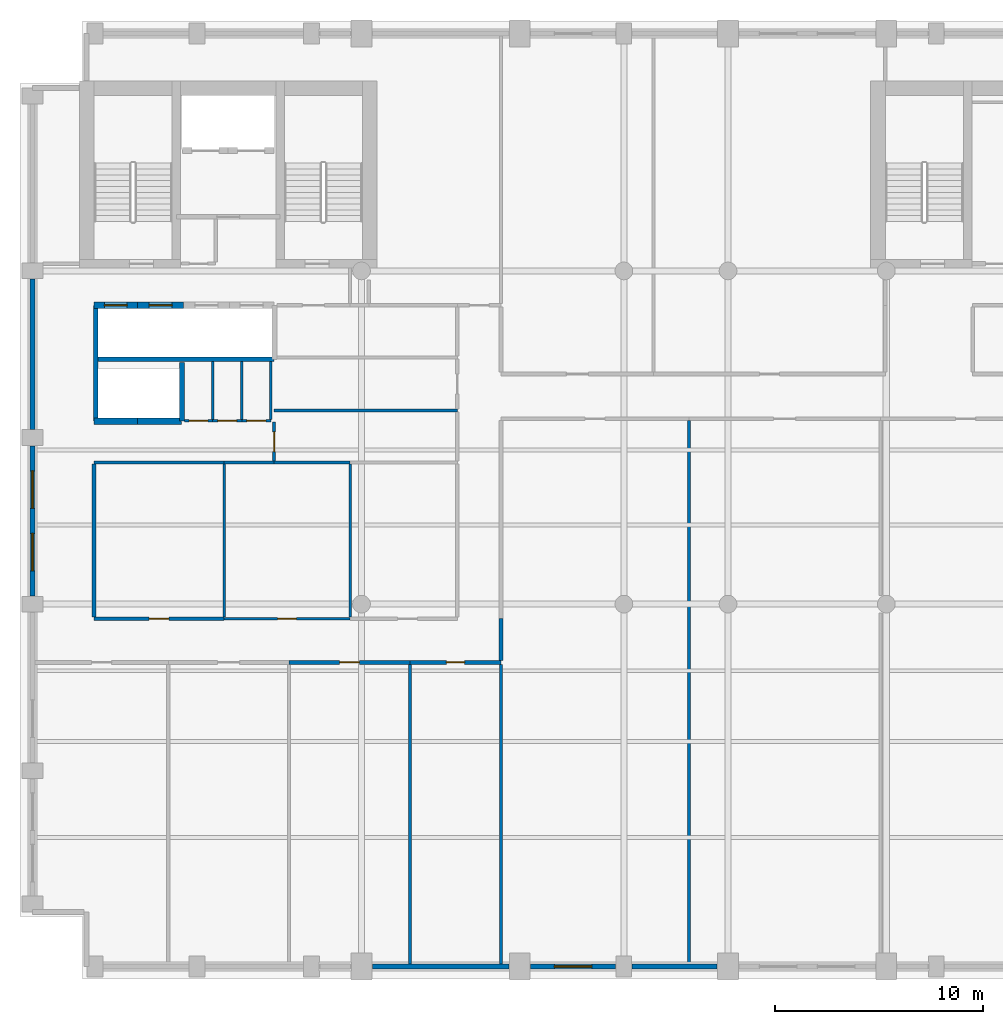
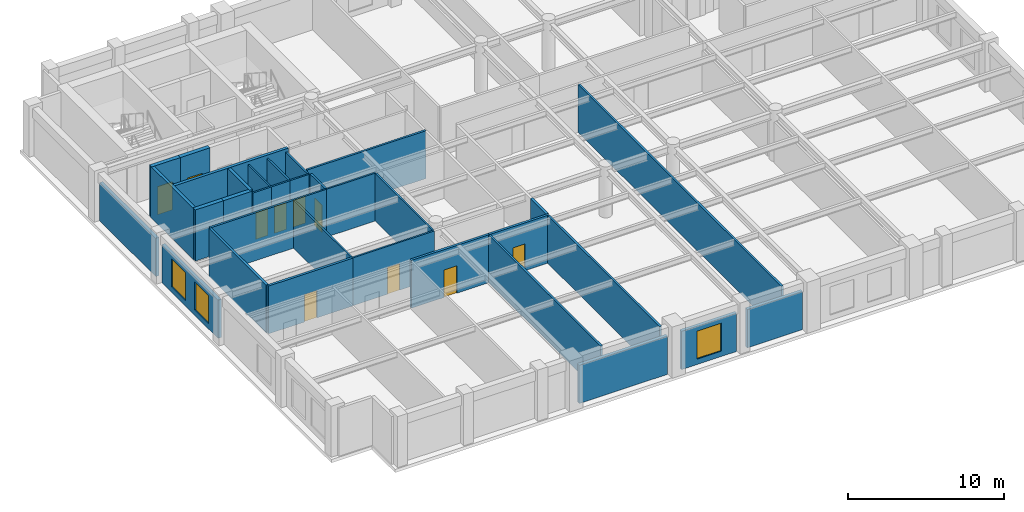
# One storey, part 3 of 8: 34 walls, 10 doors, 3 windows, 13 openings.
"""IFC4 building model written with IfcOpenShell, lengths in metres."""

from ifc_helpers import new_model, si_unit, direction, frame, frame_2d, origin, place, context, subcontext, project, spatial, rectangle, extrude, material, layer, layer_set, type_object, element, fill, save


model = new_model("IFC4")

# Units and contexts
model_context = context("Model", 3, precision=1e-05, world=origin(), true_north=direction((0.0, 1.0)))
body_context = subcontext(model_context, "Body", "Model", "MODEL_VIEW")
ifc_project = project(units=[si_unit("LENGTHUNIT", "METRE"), si_unit("AREAUNIT", "SQUARE_METRE"), si_unit("VOLUMEUNIT", "CUBIC_METRE"), si_unit("PLANEANGLEUNIT", "RADIAN"), si_unit("MASSUNIT", "GRAM", prefix="KILO")], contexts=[model_context])

# Site, building, storey
site_placement = place(None, origin())
site = spatial("IfcSite", under=ifc_project, at=site_placement, CompositionType="ELEMENT")
building_placement = place(site_placement, origin())
building = spatial("IfcBuilding", under=site, at=building_placement, Name="Sulina Concourse Tower", CompositionType="ELEMENT")
storey_placement = place(building_placement, frame((0.0, 0.0, 256.60009765625)))
storey = spatial("IfcBuildingStorey", under=building, at=storey_placement, Name="L62", CompositionType="ELEMENT", Elevation=256.60009765625)

# Walls
ifc_material_1 = material(Name="Concrete C50/60", Category="concrete")
ifc_layer_1 = layer(ifc_material_1, 0.219970703125)
ifc_layer_set_1 = layer_set([ifc_layer_1], Name="Concrete C50/60")
wall_type_1 = type_object("IfcWallType", Name="Core Lift Hoistway Divider Wall 220mm", PredefinedType="SOLIDWALL", material=ifc_layer_set_1)
wall_1_placement = place(storey_placement, frame((3.550048828125, 29.75, 0.0), z_axis=(0.0, 0.0, 1.0), x_axis=(1.0, 0.0, 0.0)))
element("IfcWall", 1, at=wall_1_placement, inside=storey, type_object=wall_type_1, Name="L62 shaft divider wall HW-LP3-S", PredefinedType="SOLIDWALL", context=body_context, shape_type="SweptSolid", body=[
    extrude(rectangle(XDim=8.64990234375, YDim=0.219970703125, at=frame_2d((4.324951171875, 0.0))), origin(), (0.0, 0.0, 1.0), 4.0),
])
wall_2_placement = place(storey_placement, frame((3.6298828125, 26.800048828125, 0.0), z_axis=(0.0, 0.0, 1.0), x_axis=(0.0, 1.0, 0.0)))
element("IfcWall", 2, at=wall_2_placement, inside=storey, type_object=wall_type_1, Name="L62 shaft divider wall HW-LP3-W", PredefinedType="SOLIDWALL", context=body_context, shape_type="SweptSolid", body=[
    extrude(rectangle(XDim=5.550048828125, YDim=0.219970703125, at=frame_2d((2.77490234375, 0.0))), origin(), (0.0, 0.0, 1.0), 4.0),
])
wall_3_placement = place(storey_placement, frame((7.780029296875, 26.800048828125, 0.0), z_axis=(0.0, 0.0, 1.0), x_axis=(0.0, 1.0, 0.0)))
element("IfcWall", 3, at=wall_3_placement, inside=storey, type_object=wall_type_1, Name="L62 shaft divider wall HW-EXP-E", PredefinedType="SOLIDWALL", context=body_context, shape_type="SweptSolid", body=[
    extrude(rectangle(XDim=2.800048828125, YDim=0.219970703125, at=frame_2d((1.39990234375, 0.0))), origin(), (0.0, 0.0, 1.0), 4.0),
])

# Wall, opening, door
ifc_material_2 = material(Name="Concrete C50/60", Category="concrete")
ifc_layer_2 = layer(ifc_material_2, 0.300048828125)
ifc_layer_set_2 = layer_set([ifc_layer_2], Name="Concrete C50/60")
wall_type_2 = type_object("IfcWallType", Name="Core Lift Hoistway Wall 300mm", PredefinedType="SOLIDWALL", material=ifc_layer_set_2)
wall_4_placement = place(storey_placement, frame((3.550048828125, 32.35009765625, 0.0), z_axis=(0.0, 0.0, 1.0), x_axis=(1.0, 0.0, 0.0)))
wall_4 = element("IfcWall", 4, at=wall_4_placement, inside=storey, type_object=wall_type_2, Name="L62 hoistway enclosure wall LP-09", PredefinedType="SOLIDWALL", context=body_context, shape_type="SweptSolid", body=[
    extrude(rectangle(XDim=2.099853515625, YDim=0.300048828125, at=frame_2d((1.0498046875, 0.0))), origin(), (0.0, 0.0, 1.0), 4.0),
])
opening_1_placement = place(wall_4_placement, frame((0.5, 0.0, 0.0)))
opening_1 = element("IfcOpeningElement", 5, at=opening_1_placement, cuts=wall_4, Name="Opening LD-01", PredefinedType="OPENING", context=body_context, shape_type="SweptSolid", body=[
    extrude(rectangle(XDim=1.10009765625, YDim=2.199951171875, at=frame_2d((0.550048828125, 1.10009765625))), frame((0.0, 0.159912109375, 0.0), z_axis=(0.0, -1.0, 0.0), x_axis=(1.0, 0.0, 0.0)), (0.0, 0.0, 1.0), 0.320068359375),
])
ifc_material_3 = material(Name="Stainless steel lift landing door", Category="steel")
ifc_layer_3 = layer(ifc_material_3, 0.050048828125)
ifc_layer_set_3 = layer_set([ifc_layer_3], Name="Stainless steel lift landing door")
door_type_1 = type_object("IfcDoorType", Name="Passenger Lift Sliding Landing Door 1100x2200", OperationType="SLIDING_TO_LEFT", PredefinedType="DOOR", material=ifc_layer_set_3)
door_1_placement = place(opening_1_placement, origin())
door_1 = element("IfcDoor", 6, at=door_1_placement, inside=storey, type_object=door_type_1, Name="L62 lift landing sliding door LP-09", OperationType="SLIDING_TO_LEFT", OverallHeight=2.199951171875, OverallWidth=1.10009765625, PredefinedType="DOOR", context=body_context, shape_type="SweptSolid", body=[
    extrude(rectangle(XDim=1.10009765625, YDim=2.199951171875, at=frame_2d((0.550048828125, 1.10009765625))), frame((0.0, 0.02490234375, 0.0), z_axis=(0.0, -1.0, 0.0), x_axis=(1.0, 0.0, 0.0)), (0.0, 0.0, 1.0), 0.050048828125),
])
fill(opening_1, door_1)

wall_5_placement = place(storey_placement, frame((5.64990234375, 32.35009765625, 0.0), z_axis=(0.0, 0.0, 1.0), x_axis=(1.0, 0.0, 0.0)))
wall_5 = element("IfcWall", 7, at=wall_5_placement, inside=storey, type_object=wall_type_2, Name="L62 hoistway enclosure wall LP-10", PredefinedType="SOLIDWALL", context=body_context, shape_type="SweptSolid", body=[
    extrude(rectangle(XDim=2.2001953125, YDim=0.300048828125, at=frame_2d((1.10009765625, 0.0))), origin(), (0.0, 0.0, 1.0), 4.0),
])
opening_2_placement = place(wall_5_placement, frame((0.550048828125, 0.0, 0.0)))
opening_2 = element("IfcOpeningElement", 8, at=opening_2_placement, cuts=wall_5, Name="Opening LD-01", PredefinedType="OPENING", context=body_context, shape_type="SweptSolid", body=[
    extrude(rectangle(XDim=1.10009765625, YDim=2.199951171875, at=frame_2d((0.550048828125, 1.10009765625))), frame((0.0, 0.159912109375, 0.0), z_axis=(0.0, -1.0, 0.0), x_axis=(1.0, 0.0, 0.0)), (0.0, 0.0, 1.0), 0.320068359375),
])
door_2_placement = place(opening_2_placement, origin())
door_2 = element("IfcDoor", 9, at=door_2_placement, inside=storey, type_object=door_type_1, Name="L62 lift landing sliding door LP-10", OperationType="SLIDING_TO_RIGHT", OverallHeight=2.199951171875, OverallWidth=1.10009765625, PredefinedType="DOOR", context=body_context, shape_type="SweptSolid", body=[
    extrude(rectangle(XDim=1.10009765625, YDim=2.199951171875, at=frame_2d((0.550048828125, 1.10009765625))), frame((0.0, 0.02490234375, 0.0), z_axis=(0.0, -1.0, 0.0), x_axis=(1.0, 0.0, 0.0)), (0.0, 0.0, 1.0), 0.050048828125),
])
fill(opening_2, door_2)

# Walls
wall_6_placement = place(storey_placement, frame((5.64990234375, 26.780029296875, 0.0), z_axis=(0.0, 0.0, 1.0), x_axis=(-1.0, 0.0, 0.0)))
element("IfcWall", 10, at=wall_6_placement, inside=storey, type_object=wall_type_2, Name="L62 hoistway enclosure wall EXP-1", PredefinedType="SOLIDWALL", context=body_context, shape_type="SweptSolid", body=[
    extrude(rectangle(XDim=2.099853515625, YDim=0.300048828125, at=frame_2d((1.0498046875, 0.0))), origin(), (0.0, 0.0, 1.0), 4.0),
])
wall_7_placement = place(storey_placement, frame((7.75, 26.780029296875, 0.0), z_axis=(0.0, 0.0, 1.0), x_axis=(-1.0, 0.0, 0.0)))
element("IfcWall", 11, at=wall_7_placement, inside=storey, type_object=wall_type_2, Name="L62 hoistway enclosure wall EXP-2", PredefinedType="SOLIDWALL", context=body_context, shape_type="SweptSolid", body=[
    extrude(rectangle(XDim=2.10009765625, YDim=0.300048828125, at=frame_2d((1.050048828125, 0.0))), origin(), (0.0, 0.0, 1.0), 4.0),
])
ifc_material_4 = material(Name="Precast concrete C50/60", Category="concrete")
ifc_layer_4 = layer(ifc_material_4, 0.239990234375)
ifc_layer_set_4 = layer_set([ifc_layer_4], Name="Precast concrete C50/60")
wall_type_3 = type_object("IfcWallType", Name="Crown Precast Masonry-Frame Facade Wall 240mm", PredefinedType="SOLIDWALL", material=ifc_layer_set_4)
wall_8_placement = place(storey_placement, frame((23.47998046875, 0.60009765625, 0.0), z_axis=(0.0, 0.0, 1.0), x_axis=(-1.0, 0.0, 0.0)))
element("IfcWall", 12, at=wall_8_placement, inside=storey, type_object=wall_type_3, Name="L62 exterior precast wall S4", PredefinedType="SOLIDWALL", context=body_context, shape_type="SweptSolid", body=[
    extrude(rectangle(XDim=6.56005859375, YDim=0.239990234375, at=frame_2d((3.280029296875, 0.0))), origin(), (0.0, 0.0, 1.0), 3.0),
])

# Wall, opening, window
wall_9_placement = place(storey_placement, frame((28.60498046875, 0.60009765625, 0.0), z_axis=(0.0, 0.0, 1.0), x_axis=(-1.0, 0.0, 0.0)))
wall_9 = element("IfcWall", 13, at=wall_9_placement, inside=storey, type_object=wall_type_3, Name="L62 exterior precast wall S5", PredefinedType="SOLIDWALL", context=body_context, shape_type="SweptSolid", body=[
    extrude(rectangle(XDim=4.0849609375, YDim=0.239990234375, at=frame_2d((2.04248046875, 0.0))), origin(), (0.0, 0.0, 1.0), 3.0),
])
opening_3_placement = place(wall_9_placement, frame((1.142578125, 0.0, 0.419921875)))
opening_3 = element("IfcOpeningElement", 14, at=opening_3_placement, cuts=wall_9, Name="Opening WN-25", PredefinedType="OPENING", context=body_context, shape_type="SweptSolid", body=[
    extrude(rectangle(XDim=1.800048828125, YDim=2.199951171875, at=frame_2d((0.89990234375, 1.10009765625))), frame((0.0, 0.1298828125, 0.0), z_axis=(0.0, -1.0, 0.0), x_axis=(1.0, 0.0, 0.0)), (0.0, 0.0, 1.0), 0.260009765625),
])
ifc_material_5 = material(Name="Low-E solar double glazing in bronze aluminium", Category="aluminium")
window_type = type_object("IfcWindowType", Name="Punched Masonry-Frame Window 1800x2200", PartitioningType="SINGLE_PANEL", PredefinedType="WINDOW", material=ifc_material_5)
window_1_placement = place(opening_3_placement, origin())
window_1 = element("IfcWindow", 15, at=window_1_placement, inside=storey, type_object=window_type, Name="L62 punched window S5-1", OverallHeight=2.199951171875, OverallWidth=1.800048828125, PartitioningType="SINGLE_PANEL", PredefinedType="WINDOW", context=body_context, shape_type="SweptSolid", body=[
    extrude(rectangle(XDim=1.800048828125, YDim=2.199951171875, at=frame_2d((0.89990234375, 1.10009765625))), frame((0.0, 0.030029296875, 0.0), z_axis=(0.0, -1.0, 0.0), x_axis=(1.0, 0.0, 0.0)), (0.0, 0.0, 1.0), 0.06005859375),
])
fill(opening_3, window_1)

# Wall
wall_10_placement = place(storey_placement, frame((33.47998046875, 0.60009765625, 0.0), z_axis=(0.0, 0.0, 1.0), x_axis=(-1.0, 0.0, 0.0)))
element("IfcWall", 16, at=wall_10_placement, inside=storey, type_object=wall_type_3, Name="L62 exterior precast wall S6", PredefinedType="SOLIDWALL", context=body_context, shape_type="SweptSolid", body=[
    extrude(rectangle(XDim=4.0849609375, YDim=0.239990234375, at=frame_2d((2.04248046875, 0.0))), origin(), (0.0, 0.0, 1.0), 3.0),
])

# Wall, openings, windows
wall_11_placement = place(storey_placement, frame((0.60009765625, 18.39501953125, 0.0), z_axis=(0.0, 0.0, 1.0), x_axis=(0.0, 1.0, 0.0)))
wall_11 = element("IfcWall", 17, at=wall_11_placement, inside=storey, type_object=wall_type_3, Name="L62 exterior precast wall W3", PredefinedType="SOLIDWALL", context=body_context, shape_type="SweptSolid", body=[
    extrude(rectangle(XDim=7.2099609375, YDim=0.239990234375, at=frame_2d((3.60498046875, 0.0))), origin(), (0.0, 0.0, 1.0), 3.0),
])
opening_4_placement = place(wall_11_placement, frame((1.203369140625, 0.0, 0.419921875)))
opening_4 = element("IfcOpeningElement", 18, at=opening_4_placement, cuts=wall_11, Name="Opening WN-25", PredefinedType="OPENING", context=body_context, shape_type="SweptSolid", body=[
    extrude(rectangle(XDim=1.800048828125, YDim=2.199951171875, at=frame_2d((0.89990234375, 1.10009765625))), frame((0.0, 0.1298828125, 0.0), z_axis=(0.0, -1.0, 0.0), x_axis=(1.0, 0.0, 0.0)), (0.0, 0.0, 1.0), 0.260009765625),
])
opening_5_placement = place(wall_11_placement, frame((4.206787109375, 0.0, 0.419921875)))
opening_5 = element("IfcOpeningElement", 19, at=opening_5_placement, cuts=wall_11, Name="Opening WN-25", PredefinedType="OPENING", context=body_context, shape_type="SweptSolid", body=[
    extrude(rectangle(XDim=1.800048828125, YDim=2.199951171875, at=frame_2d((0.89990234375, 1.10009765625))), frame((0.0, 0.1298828125, 0.0), z_axis=(0.0, -1.0, 0.0), x_axis=(1.0, 0.0, 0.0)), (0.0, 0.0, 1.0), 0.260009765625),
])
window_2_placement = place(opening_4_placement, origin())
window_2 = element("IfcWindow", 20, at=window_2_placement, inside=storey, type_object=window_type, Name="L62 punched window W3-1", OverallHeight=2.199951171875, OverallWidth=1.800048828125, PartitioningType="SINGLE_PANEL", PredefinedType="WINDOW", context=body_context, shape_type="SweptSolid", body=[
    extrude(rectangle(XDim=1.800048828125, YDim=2.199951171875, at=frame_2d((0.89990234375, 1.10009765625))), frame((0.0, 0.030029296875, 0.0), z_axis=(0.0, -1.0, 0.0), x_axis=(1.0, 0.0, 0.0)), (0.0, 0.0, 1.0), 0.06005859375),
])
fill(opening_4, window_2)
window_3_placement = place(opening_5_placement, origin())
window_3 = element("IfcWindow", 21, at=window_3_placement, inside=storey, type_object=window_type, Name="L62 punched window W3-2", OverallHeight=2.199951171875, OverallWidth=1.800048828125, PartitioningType="SINGLE_PANEL", PredefinedType="WINDOW", context=body_context, shape_type="SweptSolid", body=[
    extrude(rectangle(XDim=1.800048828125, YDim=2.199951171875, at=frame_2d((0.89990234375, 1.10009765625))), frame((0.0, 0.030029296875, 0.0), z_axis=(0.0, -1.0, 0.0), x_axis=(1.0, 0.0, 0.0)), (0.0, 0.0, 1.0), 0.06005859375),
])
fill(opening_5, window_3)

# Walls
wall_12_placement = place(storey_placement, frame((0.60009765625, 26.39501953125, 0.0), z_axis=(0.0, 0.0, 1.0), x_axis=(0.0, 1.0, 0.0)))
element("IfcWall", 22, at=wall_12_placement, inside=storey, type_object=wall_type_3, Name="L62 exterior precast wall W4", PredefinedType="SOLIDWALL", context=body_context, shape_type="SweptSolid", body=[
    extrude(rectangle(XDim=7.2099609375, YDim=0.239990234375, at=frame_2d((3.60498046875, 0.0))), origin(), (0.0, 0.0, 1.0), 3.0),
])
ifc_material_6 = material(Name="Gypsum board on steel stud", Category="steel")
ifc_layer_5 = layer(ifc_material_6, 0.14990234375)
ifc_layer_set_5 = layer_set([ifc_layer_5], Name="Gypsum board on steel stud")
wall_type_4 = type_object("IfcWallType", Name="Inter-Tenancy Acoustic Partition 150mm", PredefinedType="PARTITIONING", material=ifc_layer_set_5)
wall_13_placement = place(storey_placement, frame((3.550048828125, 24.800048828125, 0.0), z_axis=(0.0, 0.0, 1.0), x_axis=(1.0, 0.0, 0.0)))
element("IfcWall", 23, at=wall_13_placement, inside=storey, type_object=wall_type_4, Name="L62 interior partition 008", PredefinedType="PARTITIONING", context=body_context, shape_type="SweptSolid", body=[
    extrude(rectangle(XDim=6.25, YDim=0.14990234375, at=frame_2d((3.125, 0.0))), origin(), (0.0, 0.0, 1.0), 3.75),
])
wall_14_placement = place(storey_placement, frame((12.199951171875, 27.300048828125, 0.0), z_axis=(0.0, 0.0, 1.0), x_axis=(1.0, 0.0, 0.0)))
element("IfcWall", 24, at=wall_14_placement, inside=storey, type_object=wall_type_4, Name="L62 interior partition 019", PredefinedType="PARTITIONING", context=body_context, shape_type="SweptSolid", body=[
    extrude(rectangle(XDim=8.800048828125, YDim=0.14990234375, at=frame_2d((4.39990234375, 0.0))), origin(), (0.0, 0.0, 1.0), 3.75),
])

# Wall, opening, door
wall_15_placement = place(storey_placement, frame((12.199951171875, 24.862548828125, 0.0), z_axis=(0.0, 0.0, 1.0), x_axis=(0.0, 1.0, 0.0)))
wall_15 = element("IfcWall", 25, at=wall_15_placement, inside=storey, type_object=wall_type_4, Name="L62 interior partition 041", PredefinedType="PARTITIONING", context=body_context, shape_type="SweptSolid", body=[
    extrude(rectangle(XDim=1.875, YDim=0.14990234375, at=frame_2d((0.9375, 0.0))), origin(), (0.0, 0.0, 1.0), 3.75),
])
opening_6_placement = place(wall_15_placement, frame((0.46240234375, 0.0, 0.0)))
opening_6 = element("IfcOpeningElement", 26, at=opening_6_placement, cuts=wall_15, Name="Opening DR-19", PredefinedType="OPENING", context=body_context, shape_type="SweptSolid", body=[
    extrude(rectangle(XDim=0.949951171875, YDim=2.14990234375, at=frame_2d((0.47509765625, 1.074951171875))), frame((0.0, 0.0849609375, 0.0), z_axis=(0.0, -1.0, 0.0), x_axis=(1.0, 0.0, 0.0)), (0.0, 0.0, 1.0), 0.169921875),
])
ifc_material_7 = material(Name="Oak-veneered acoustic timber leaf", Category="wood")
ifc_layer_6 = layer(ifc_material_7, 0.050048828125)
ifc_layer_set_6 = layer_set([ifc_layer_6], Name="Oak-veneered acoustic timber leaf")
door_type_2 = type_object("IfcDoorType", Name="Cellular Office & Meeting Door 950x2150", OperationType="NOTDEFINED", PredefinedType="DOOR", material=ifc_layer_set_6)
door_3_placement = place(opening_6_placement, origin())
door_3 = element("IfcDoor", 27, at=door_3_placement, inside=storey, type_object=door_type_2, Name="L62 interior door L62-MR-MRG1", OperationType="SINGLE_SWING_LEFT", OverallHeight=2.14990234375, OverallWidth=0.949951171875, PredefinedType="DOOR", context=body_context, shape_type="SweptSolid", body=[
    extrude(rectangle(XDim=0.949951171875, YDim=2.14990234375, at=frame_2d((0.47509765625, 1.074951171875))), frame((0.0, 0.02490234375, 0.0), z_axis=(0.0, -1.0, 0.0), x_axis=(1.0, 0.0, 0.0)), (0.0, 0.0, 1.0), 0.050048828125),
])
fill(opening_6, door_3)

# Walls
for number, where, z_axis, x_axis, name in (
    (28, (18.719970703125, 0.719970703125, 0.0), (0.0, 0.0, 1.0), (0.0, 1.0, 0.0), "L62 interior partition 046"),
    (29, (23.10009765625, 0.719970703125, 0.0), (0.0, 0.0, 1.0), (0.0, 1.0, 0.0), "L62 interior partition 051"),
):
    element("IfcWall", number, at=place(storey_placement, frame(where, z_axis=z_axis, x_axis=x_axis)), inside=storey, type_object=wall_type_4, Name=name, PredefinedType="PARTITIONING", context=body_context, shape_type="SweptSolid", body=[
        extrude(rectangle(XDim=14.39013671875, YDim=0.14990234375, at=frame_2d((7.195068359375, 0.0))), origin(), (0.0, 0.0, 1.0), 3.75),
    ])
wall_16_placement = place(storey_placement, frame((32.1201171875, 0.719970703125, 0.0), z_axis=(0.0, 0.0, 1.0), x_axis=(0.0, 1.0, 0.0)))
element("IfcWall", 30, at=wall_16_placement, inside=storey, type_object=wall_type_4, Name="L62 interior partition 057", PredefinedType="PARTITIONING", context=body_context, shape_type="SweptSolid", body=[
    extrude(rectangle(XDim=26.090087890625, YDim=0.14990234375, at=frame_2d((13.044921875, 0.0))), origin(), (0.0, 0.0, 1.0), 3.75),
])

# Wall, opening, door
ifc_material_8 = material(Name="Gypsum board on steel stud", Category="steel")
ifc_layer_7 = layer(ifc_material_8, 0.179931640625)
ifc_layer_set_7 = layer_set([ifc_layer_7], Name="Gypsum board on steel stud")
wall_type_5 = type_object("IfcWallType", Name="Protected Corridor & Riser Partition 180mm", PredefinedType="PARTITIONING", material=ifc_layer_set_7)
wall_17_placement = place(storey_placement, frame((12.919921875, 15.199951171875, 0.0), z_axis=(0.0, 0.0, 1.0), x_axis=(1.0, 0.0, 0.0)))
wall_17 = element("IfcWall", 31, at=wall_17_placement, inside=storey, type_object=wall_type_5, Name="L62 interior partition 003", PredefinedType="PARTITIONING", context=body_context, shape_type="SweptSolid", body=[
    extrude(rectangle(XDim=5.800048828125, YDim=0.179931640625, at=frame_2d((2.89990234375, 0.0))), origin(), (0.0, 0.0, 1.0), 3.75),
])
opening_7_placement = place(wall_17_placement, frame((2.425048828125, 0.0, 0.0)))
opening_7 = element("IfcOpeningElement", 32, at=opening_7_placement, cuts=wall_17, Name="Opening DR-19", PredefinedType="OPENING", context=body_context, shape_type="SweptSolid", body=[
    extrude(rectangle(XDim=0.949951171875, YDim=2.14990234375, at=frame_2d((0.47509765625, 1.074951171875))), frame((0.0, 0.099853515625, 0.0), z_axis=(0.0, -1.0, 0.0), x_axis=(1.0, 0.0, 0.0)), (0.0, 0.0, 1.0), 0.199951171875),
])
door_4_placement = place(opening_7_placement, origin())
door_4 = element("IfcDoor", 33, at=door_4_placement, inside=storey, type_object=door_type_2, Name="L62 interior door L62-S03", OperationType="SINGLE_SWING_LEFT", OverallHeight=2.14990234375, OverallWidth=0.949951171875, PredefinedType="DOOR", context=body_context, shape_type="SweptSolid", body=[
    extrude(rectangle(XDim=0.949951171875, YDim=2.14990234375, at=frame_2d((0.47509765625, 1.074951171875))), frame((0.0, 0.02490234375, 0.0), z_axis=(0.0, -1.0, 0.0), x_axis=(1.0, 0.0, 0.0)), (0.0, 0.0, 1.0), 0.050048828125),
])
fill(opening_7, door_4)

wall_18_placement = place(storey_placement, frame((18.719970703125, 15.199951171875, 0.0), z_axis=(0.0, 0.0, 1.0), x_axis=(1.0, 0.0, 0.0)))
wall_18 = element("IfcWall", 34, at=wall_18_placement, inside=storey, type_object=wall_type_5, Name="L62 interior partition 004", PredefinedType="PARTITIONING", context=body_context, shape_type="SweptSolid", body=[
    extrude(rectangle(XDim=4.380126953125, YDim=0.179931640625, at=frame_2d((2.18994140625, 0.0))), origin(), (0.0, 0.0, 1.0), 3.75),
])
opening_8_placement = place(wall_18_placement, frame((1.75, 0.0, 0.0)))
opening_8 = element("IfcOpeningElement", 35, at=opening_8_placement, cuts=wall_18, Name="Opening DR-38", PredefinedType="OPENING", context=body_context, shape_type="SweptSolid", body=[
    extrude(rectangle(XDim=0.8798828125, YDim=2.10009765625, at=frame_2d((0.43994140625, 1.050048828125))), frame((0.0, 0.099853515625, 0.0), z_axis=(0.0, -1.0, 0.0), x_axis=(1.0, 0.0, 0.0)), (0.0, 0.0, 1.0), 0.199951171875),
])
ifc_material_9 = material(Name="Galvanised steel acoustic fire leaf", Category="steel")
ifc_layer_8 = layer(ifc_material_9, 0.050048828125)
ifc_layer_set_8 = layer_set([ifc_layer_8], Name="Galvanised steel acoustic fire leaf")
door_type_3 = type_object("IfcDoorType", Name="Service Riser Fire Door 880x2100", OperationType="NOTDEFINED", PredefinedType="DOOR", material=ifc_layer_set_8)
door_5_placement = place(opening_8_placement, origin())
door_5 = element("IfcDoor", 36, at=door_5_placement, inside=storey, type_object=door_type_3, Name="L62 interior door L62-S04", OperationType="SINGLE_SWING_RIGHT", OverallHeight=2.10009765625, OverallWidth=0.8798828125, PredefinedType="DOOR", context=body_context, shape_type="SweptSolid", body=[
    extrude(rectangle(XDim=0.8798828125, YDim=2.10009765625, at=frame_2d((0.43994140625, 1.050048828125))), frame((0.0, 0.02490234375, 0.0), z_axis=(0.0, -1.0, 0.0), x_axis=(1.0, 0.0, 0.0)), (0.0, 0.0, 1.0), 0.050048828125),
])
fill(opening_8, door_5)

wall_19_placement = place(storey_placement, frame((3.550048828125, 17.300048828125, 0.0), z_axis=(0.0, 0.0, 1.0), x_axis=(1.0, 0.0, 0.0)))
wall_19 = element("IfcWall", 37, at=wall_19_placement, inside=storey, type_object=wall_type_5, Name="L62 interior partition 005", PredefinedType="PARTITIONING", context=body_context, shape_type="SweptSolid", body=[
    extrude(rectangle(XDim=6.25, YDim=0.179931640625, at=frame_2d((3.125, 0.0))), origin(), (0.0, 0.0, 1.0), 3.75),
])
opening_9_placement = place(wall_19_placement, frame((2.64990234375, 0.0, 0.0)))
opening_9 = element("IfcOpeningElement", 38, at=opening_9_placement, cuts=wall_19, Name="Opening DR-19", PredefinedType="OPENING", context=body_context, shape_type="SweptSolid", body=[
    extrude(rectangle(XDim=0.949951171875, YDim=2.14990234375, at=frame_2d((0.47509765625, 1.074951171875))), frame((0.0, 0.099853515625, 0.0), z_axis=(0.0, -1.0, 0.0), x_axis=(1.0, 0.0, 0.0)), (0.0, 0.0, 1.0), 0.199951171875),
])
door_6_placement = place(opening_9_placement, origin())
door_6 = element("IfcDoor", 39, at=door_6_placement, inside=storey, type_object=door_type_2, Name="L62 interior door L62-LR-MRG1", OperationType="SINGLE_SWING_LEFT", OverallHeight=2.14990234375, OverallWidth=0.949951171875, PredefinedType="DOOR", context=body_context, shape_type="SweptSolid", body=[
    extrude(rectangle(XDim=0.949951171875, YDim=2.14990234375, at=frame_2d((0.47509765625, 1.074951171875))), frame((0.0, 0.02490234375, 0.0), z_axis=(0.0, -1.0, 0.0), x_axis=(1.0, 0.0, 0.0)), (0.0, 0.0, 1.0), 0.050048828125),
])
fill(opening_9, door_6)

# Walls
wall_20_placement = place(storey_placement, frame((3.550048828125, 17.389892578125, 0.0), z_axis=(0.0, 0.0, 1.0), x_axis=(0.0, 1.0, 0.0)))
element("IfcWall", 40, at=wall_20_placement, inside=storey, type_object=wall_type_5, Name="L62 interior partition 034", PredefinedType="PARTITIONING", context=body_context, shape_type="SweptSolid", body=[
    extrude(rectangle(XDim=7.335205078125, YDim=0.179931640625, at=frame_2d((3.66748046875, 0.0))), origin(), (0.0, 0.0, 1.0), 3.75),
])
wall_21_placement = place(storey_placement, frame((23.10009765625, 15.2900390625, 0.0), z_axis=(0.0, 0.0, 1.0), x_axis=(0.0, 1.0, 0.0)))
element("IfcWall", 41, at=wall_21_placement, inside=storey, type_object=wall_type_5, Name="L62 interior partition 052", PredefinedType="PARTITIONING", context=body_context, shape_type="SweptSolid", body=[
    extrude(rectangle(XDim=2.010009765625, YDim=0.179931640625, at=frame_2d((1.0048828125, 0.0))), origin(), (0.0, 0.0, 1.0), 3.75),
])

# Wall, opening, door
ifc_material_10 = material(Name="Gypsum board on steel stud", Category="steel")
ifc_layer_9 = layer(ifc_material_10, 0.125)
ifc_layer_set_9 = layer_set([ifc_layer_9], Name="Gypsum board on steel stud")
wall_type_6 = type_object("IfcWallType", Name="Wet-Area Moisture-Resistant Partition 125mm", PredefinedType="PARTITIONING", material=ifc_layer_set_9)
wall_22_placement = place(storey_placement, frame((9.800048828125, 17.300048828125, 0.0), z_axis=(0.0, 0.0, 1.0), x_axis=(1.0, 0.0, 0.0)))
wall_22 = element("IfcWall", 42, at=wall_22_placement, inside=storey, type_object=wall_type_6, Name="L62 interior partition 006", PredefinedType="PARTITIONING", context=body_context, shape_type="SweptSolid", body=[
    extrude(rectangle(XDim=6.050048828125, YDim=0.125, at=frame_2d((3.02490234375, 0.0))), origin(), (0.0, 0.0, 1.0), 3.75),
])
opening_10_placement = place(wall_22_placement, frame((2.574951171875, 0.0, 0.0)))
opening_10 = element("IfcOpeningElement", 43, at=opening_10_placement, cuts=wall_22, Name="Opening DR-21", PredefinedType="OPENING", context=body_context, shape_type="SweptSolid", body=[
    extrude(rectangle(XDim=0.89990234375, YDim=2.10009765625, at=frame_2d((0.449951171875, 1.050048828125))), frame((0.0, 0.072509765625, 0.0), z_axis=(0.0, -1.0, 0.0), x_axis=(1.0, 0.0, 0.0)), (0.0, 0.0, 1.0), 0.14501953125),
])
ifc_material_11 = material(Name="Oak-veneered fire door leaf")
ifc_layer_10 = layer(ifc_material_11, 0.050048828125)
ifc_layer_set_10 = layer_set([ifc_layer_10], Name="Oak-veneered fire door leaf")
door_type_4 = type_object("IfcDoorType", Name="Restroom & Service Door 900x2100", OperationType="NOTDEFINED", PredefinedType="DOOR", material=ifc_layer_set_10)
door_7_placement = place(opening_10_placement, origin())
door_7 = element("IfcDoor", 44, at=door_7_placement, inside=storey, type_object=door_type_4, Name="L62 interior door L62-LR-MRG2", OperationType="SINGLE_SWING_RIGHT", OverallHeight=2.10009765625, OverallWidth=0.89990234375, PredefinedType="DOOR", context=body_context, shape_type="SweptSolid", body=[
    extrude(rectangle(XDim=0.89990234375, YDim=2.10009765625, at=frame_2d((0.449951171875, 1.050048828125))), frame((0.0, 0.02490234375, 0.0), z_axis=(0.0, -1.0, 0.0), x_axis=(1.0, 0.0, 0.0)), (0.0, 0.0, 1.0), 0.050048828125),
])
fill(opening_10, door_7)

# Walls
wall_23_placement = place(storey_placement, frame((9.800048828125, 24.800048828125, 0.0), z_axis=(0.0, 0.0, 1.0), x_axis=(1.0, 0.0, 0.0)))
element("IfcWall", 45, at=wall_23_placement, inside=storey, type_object=wall_type_6, Name="L62 interior partition 009", PredefinedType="PARTITIONING", context=body_context, shape_type="SweptSolid", body=[
    extrude(rectangle(XDim=2.39990234375, YDim=0.125, at=frame_2d((1.199951171875, 0.0))), origin(), (0.0, 0.0, 1.0), 3.75),
])
wall_24_placement = place(storey_placement, frame((12.199951171875, 24.800048828125, 0.0), z_axis=(0.0, 0.0, 1.0), x_axis=(1.0, 0.0, 0.0)))
element("IfcWall", 46, at=wall_24_placement, inside=storey, type_object=wall_type_6, Name="L62 interior partition 010", PredefinedType="PARTITIONING", context=body_context, shape_type="SweptSolid", body=[
    extrude(rectangle(XDim=3.650146484375, YDim=0.125, at=frame_2d((1.8251953125, 0.0))), origin(), (0.0, 0.0, 1.0), 3.75),
])

# Wall, opening, door
wall_25_placement = place(storey_placement, frame((7.889892578125, 26.800048828125, 0.0), z_axis=(0.0, 0.0, 1.0), x_axis=(1.0, 0.0, 0.0)))
wall_25 = element("IfcWall", 47, at=wall_25_placement, inside=storey, type_object=wall_type_6, Name="L62 interior partition 012", PredefinedType="PARTITIONING", context=body_context, shape_type="SweptSolid", body=[
    extrude(rectangle(XDim=1.360107421875, YDim=0.125, at=frame_2d((0.68017578125, 0.0))), origin(), (0.0, 0.0, 1.0), 3.75),
])
opening_11_placement = place(wall_25_placement, frame((0.22998046875, 0.0, 0.0)))
opening_11 = element("IfcOpeningElement", 48, at=opening_11_placement, cuts=wall_25, Name="Opening DR-21", PredefinedType="OPENING", context=body_context, shape_type="SweptSolid", body=[
    extrude(rectangle(XDim=0.89990234375, YDim=2.10009765625, at=frame_2d((0.449951171875, 1.050048828125))), frame((0.0, 0.072509765625, 0.0), z_axis=(0.0, -1.0, 0.0), x_axis=(1.0, 0.0, 0.0)), (0.0, 0.0, 1.0), 0.14501953125),
])
door_8_placement = place(opening_11_placement, origin())
door_8 = element("IfcDoor", 49, at=door_8_placement, inside=storey, type_object=door_type_4, Name="L62 interior door L62-WC-M", OperationType="SINGLE_SWING_RIGHT", OverallHeight=2.10009765625, OverallWidth=0.89990234375, PredefinedType="DOOR", context=body_context, shape_type="SweptSolid", body=[
    extrude(rectangle(XDim=0.89990234375, YDim=2.10009765625, at=frame_2d((0.449951171875, 1.050048828125))), frame((0.0, 0.02490234375, 0.0), z_axis=(0.0, -1.0, 0.0), x_axis=(1.0, 0.0, 0.0)), (0.0, 0.0, 1.0), 0.050048828125),
])
fill(opening_11, door_8)

wall_26_placement = place(storey_placement, frame((9.25, 26.800048828125, 0.0), z_axis=(0.0, 0.0, 1.0), x_axis=(1.0, 0.0, 0.0)))
wall_26 = element("IfcWall", 50, at=wall_26_placement, inside=storey, type_object=wall_type_6, Name="L62 interior partition 013", PredefinedType="PARTITIONING", context=body_context, shape_type="SweptSolid", body=[
    extrude(rectangle(XDim=1.39990234375, YDim=0.125, at=frame_2d((0.699951171875, 0.0))), origin(), (0.0, 0.0, 1.0), 3.75),
])
opening_12_placement = place(wall_26_placement, frame((0.25, 0.0, 0.0)))
opening_12 = element("IfcOpeningElement", 51, at=opening_12_placement, cuts=wall_26, Name="Opening DR-21", PredefinedType="OPENING", context=body_context, shape_type="SweptSolid", body=[
    extrude(rectangle(XDim=0.89990234375, YDim=2.10009765625, at=frame_2d((0.449951171875, 1.050048828125))), frame((0.0, 0.072509765625, 0.0), z_axis=(0.0, -1.0, 0.0), x_axis=(1.0, 0.0, 0.0)), (0.0, 0.0, 1.0), 0.14501953125),
])
door_9_placement = place(opening_12_placement, origin())
door_9 = element("IfcDoor", 52, at=door_9_placement, inside=storey, type_object=door_type_4, Name="L62 interior door L62-WC-F", OperationType="SINGLE_SWING_LEFT", OverallHeight=2.10009765625, OverallWidth=0.89990234375, PredefinedType="DOOR", context=body_context, shape_type="SweptSolid", body=[
    extrude(rectangle(XDim=0.89990234375, YDim=2.10009765625, at=frame_2d((0.449951171875, 1.050048828125))), frame((0.0, 0.02490234375, 0.0), z_axis=(0.0, -1.0, 0.0), x_axis=(1.0, 0.0, 0.0)), (0.0, 0.0, 1.0), 0.050048828125),
])
fill(opening_12, door_9)

wall_27_placement = place(storey_placement, frame((10.64990234375, 26.800048828125, 0.0), z_axis=(0.0, 0.0, 1.0), x_axis=(1.0, 0.0, 0.0)))
wall_27 = element("IfcWall", 53, at=wall_27_placement, inside=storey, type_object=wall_type_6, Name="L62 interior partition 014", PredefinedType="PARTITIONING", context=body_context, shape_type="SweptSolid", body=[
    extrude(rectangle(XDim=1.400146484375, YDim=0.125, at=frame_2d((0.7001953125, 0.0))), origin(), (0.0, 0.0, 1.0), 3.75),
])
opening_13_placement = place(wall_27_placement, frame((0.239990234375, 0.0, 0.0)))
opening_13 = element("IfcOpeningElement", 54, at=opening_13_placement, cuts=wall_27, Name="Opening DR-61", PredefinedType="OPENING", context=body_context, shape_type="SweptSolid", body=[
    extrude(rectangle(XDim=0.919921875, YDim=2.10009765625, at=frame_2d((0.4599609375, 1.050048828125))), frame((0.0, 0.072509765625, 0.0), z_axis=(0.0, -1.0, 0.0), x_axis=(1.0, 0.0, 0.0)), (0.0, 0.0, 1.0), 0.14501953125),
])
ifc_material_12 = material(Name="Oak-veneered fire door leaf")
ifc_layer_11 = layer(ifc_material_12, 0.050048828125)
ifc_layer_set_11 = layer_set([ifc_layer_11], Name="Oak-veneered fire door leaf")
door_type_5 = type_object("IfcDoorType", Name="Accessible WC Door 920x2100", OperationType="NOTDEFINED", PredefinedType="DOOR", material=ifc_layer_set_11)
door_10_placement = place(opening_13_placement, origin())
door_10 = element("IfcDoor", 55, at=door_10_placement, inside=storey, type_object=door_type_5, Name="L62 interior door L62-WC-ACC", OperationType="SINGLE_SWING_RIGHT", OverallHeight=2.10009765625, OverallWidth=0.919921875, PredefinedType="DOOR", context=body_context, shape_type="SweptSolid", body=[
    extrude(rectangle(XDim=0.919921875, YDim=2.10009765625, at=frame_2d((0.4599609375, 1.050048828125))), frame((0.0, 0.02490234375, 0.0), z_axis=(0.0, -1.0, 0.0), x_axis=(1.0, 0.0, 0.0)), (0.0, 0.0, 1.0), 0.050048828125),
])
fill(opening_13, door_10)

# Walls
wall_28_placement = place(storey_placement, frame((9.25, 26.862548828125, 0.0), z_axis=(0.0, 0.0, 1.0), x_axis=(0.0, 1.0, 0.0)))
element("IfcWall", 56, at=wall_28_placement, inside=storey, type_object=wall_type_6, Name="L62 interior partition 036", PredefinedType="PARTITIONING", context=body_context, shape_type="SweptSolid", body=[
    extrude(rectangle(XDim=2.77734375, YDim=0.125, at=frame_2d((1.388671875, 0.0))), origin(), (0.0, 0.0, 1.0), 3.75),
])
wall_29_placement = place(storey_placement, frame((9.800048828125, 17.389892578125, 0.0), z_axis=(0.0, 0.0, 1.0), x_axis=(0.0, 1.0, 0.0)))
element("IfcWall", 57, at=wall_29_placement, inside=storey, type_object=wall_type_6, Name="L62 interior partition 038", PredefinedType="PARTITIONING", context=body_context, shape_type="SweptSolid", body=[
    extrude(rectangle(XDim=7.335205078125, YDim=0.125, at=frame_2d((3.66748046875, 0.0))), origin(), (0.0, 0.0, 1.0), 3.75),
])
for number, where, z_axis, x_axis, name in (
    (58, (10.64990234375, 26.862548828125, 0.0), (0.0, 0.0, 1.0), (0.0, 1.0, 0.0), "L62 interior partition 039"),
    (59, (12.050048828125, 26.862548828125, 0.0), (0.0, 0.0, 1.0), (0.0, 1.0, 0.0), "L62 interior partition 040"),
):
    element("IfcWall", number, at=place(storey_placement, frame(where, z_axis=z_axis, x_axis=x_axis)), inside=storey, type_object=wall_type_6, Name=name, PredefinedType="PARTITIONING", context=body_context, shape_type="SweptSolid", body=[
        extrude(rectangle(XDim=2.77734375, YDim=0.125, at=frame_2d((1.388671875, 0.0))), origin(), (0.0, 0.0, 1.0), 3.75),
    ])
wall_30_placement = place(storey_placement, frame((15.85009765625, 17.389892578125, 0.0), z_axis=(0.0, 0.0, 1.0), x_axis=(0.0, 1.0, 0.0)))
element("IfcWall", 60, at=wall_30_placement, inside=storey, type_object=wall_type_6, Name="L62 interior partition 043", PredefinedType="PARTITIONING", context=body_context, shape_type="SweptSolid", body=[
    extrude(rectangle(XDim=7.335205078125, YDim=0.125, at=frame_2d((3.66748046875, 0.0))), origin(), (0.0, 0.0, 1.0), 3.75),
])

save(model, "model.ifc")
